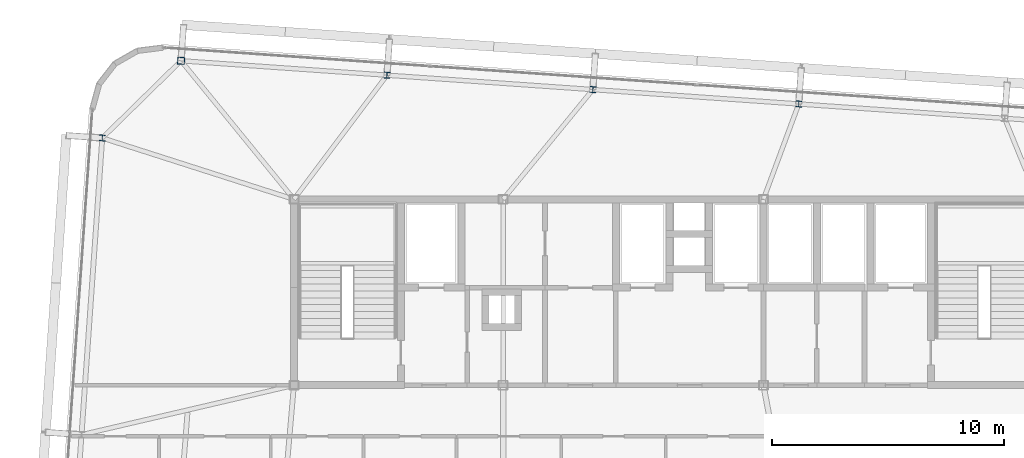
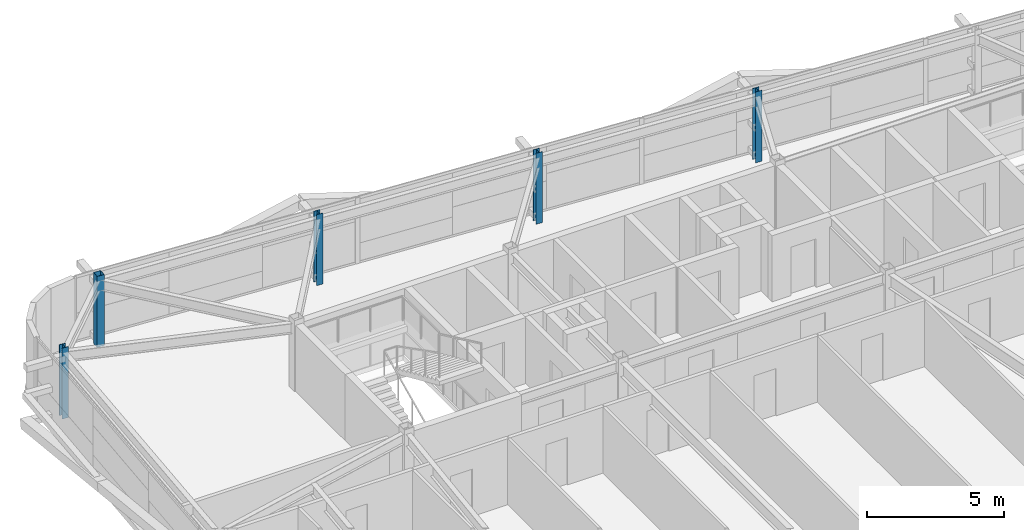
# One storey, part 4 of 39: 5 columns.
"""IFC4 building model written with IfcOpenShell, lengths in metres."""

from ifc_helpers import new_model, si_unit, direction, frame, origin, origin_2d, place, context, subcontext, project, spatial, hollow_rectangle, i_section, extrude, source, transform, mapped, material, material_profile, profile_set, type_object, element, save


model = new_model("IFC4")

# Units and contexts
model_context = context("Model", 3, precision=1e-05, world=origin(), true_north=direction((0.0, 1.0)))
body_context = subcontext(model_context, "Body", "Model", "MODEL_VIEW")
ifc_project = project(units=[si_unit("LENGTHUNIT", "METRE"), si_unit("AREAUNIT", "SQUARE_METRE"), si_unit("VOLUMEUNIT", "CUBIC_METRE"), si_unit("PLANEANGLEUNIT", "RADIAN"), si_unit("MASSUNIT", "GRAM", prefix="KILO")], contexts=[model_context])

# Site, building, storey
site_placement = place(None, origin())
site = spatial("IfcSite", under=ifc_project, at=site_placement, CompositionType="ELEMENT")
building_placement = place(site_placement, origin())
building = spatial("IfcBuilding", under=site, at=building_placement, Name="Taldren Reach Tower", CompositionType="ELEMENT")
storey_placement = place(building_placement, frame((0.0, 0.0, 158.199951171875)))
storey = spatial("IfcBuildingStorey", under=building, at=storey_placement, Name="L48", CompositionType="ELEMENT", Elevation=158.199951171875)

# Columns
ifc_material_1 = material(Name="Steel Gr 450 (C450L0)", Category="steel")
ifc_material_profile_1 = material_profile(ifc_material_1, hollow_rectangle(XDim=0.300048828125, YDim=0.300048828125, WallThickness=0.012451171875, at=origin_2d()), Name="300x300x12.5SHS")
ifc_profile_set_1 = profile_set([ifc_material_profile_1], Name="Steel Gr 450 (C450L0)")
column_type_1 = type_object("IfcColumnType", Name="COL-SHS300", PredefinedType="COLUMN", material=ifc_profile_set_1)
shared_shape_1 = source(origin(), body_context, "Body", "SweptSolid", [
    extrude(hollow_rectangle(XDim=0.300048828125, YDim=0.300048828125, WallThickness=0.012451171875, at=origin_2d()), origin(), (0.0, 0.0, 1.0), 3.150146484375),
])
column_placement = place(storey_placement, frame((14.14453125, 37.958740234375, 0.0), z_axis=(0.0, 0.0, 1.0), x_axis=(0.99756405026, -0.069756473744, 0.0)))
element("IfcColumn", 1, at=column_placement, inside=storey, type_object=column_type_1, Name="Block B3 perimeter column N1 L48", PredefinedType="COLUMN", context=body_context, shape_type="MappedRepresentation", body=[
    mapped(shared_shape_1, transform((0.0, 0.0, 0.0), scale=1.0)),
])
ifc_material_2 = material(Name="Steel Gr 350 (350PLUS)", Category="steel")
ifc_material_profile_2 = material_profile(ifc_material_2, i_section(OverallWidth=0.256103515625, OverallDepth=0.260009765625, WebThickness=0.010498046875, FlangeThickness=0.017333984375, at=origin_2d()), Name="250UC89.5")
ifc_profile_set_2 = profile_set([ifc_material_profile_2], Name="Steel Gr 350 (350PLUS)")
column_type_2 = type_object("IfcColumnType", Name="COL-UC250", PredefinedType="COLUMN", material=ifc_profile_set_2)
shared_shape_2 = source(origin(), body_context, "Body", "SweptSolid", [
    extrude(i_section(OverallWidth=0.256103515625, OverallDepth=0.260009765625, WebThickness=0.010498046875, FlangeThickness=0.017333984375, at=origin_2d()), origin(), (0.0, 0.0, 1.0), 3.150146484375),
])
for number, where, z_axis, x_axis, name in (
    (2, (23.0029296875, 37.33935546875, 0.0), (0.0, 0.0, 1.0), (0.99756405026, -0.069756473744, 0.0), "Block B3 perimeter column N2 L48"),
    (3, (31.861328125, 36.719970703125, 0.0), (0.0, 0.0, 1.0), (0.99756405026, -0.069756473744, 0.0), "Block B3 perimeter column N3 L48"),
    (4, (40.7197265625, 36.100341796875, 0.0), (0.0, 0.0, 1.0), (0.99756405026, -0.069756473744, 0.0), "Block B3 perimeter column N4 L48"),
    (5, (10.754638671875, 34.63720703125, 0.0), (0.0, 0.0, 1.0), (0.99756405026, -0.069756473744, 0.0), "Block B3 perimeter column W3 L48"),
):
    element("IfcColumn", number, at=place(storey_placement, frame(where, z_axis=z_axis, x_axis=x_axis)), inside=storey, type_object=column_type_2, Name=name, PredefinedType="COLUMN", context=body_context, shape_type="MappedRepresentation", body=[
        mapped(shared_shape_2, transform((0.0, 0.0, 0.0), scale=1.0)),
    ])

save(model, "model.ifc")
